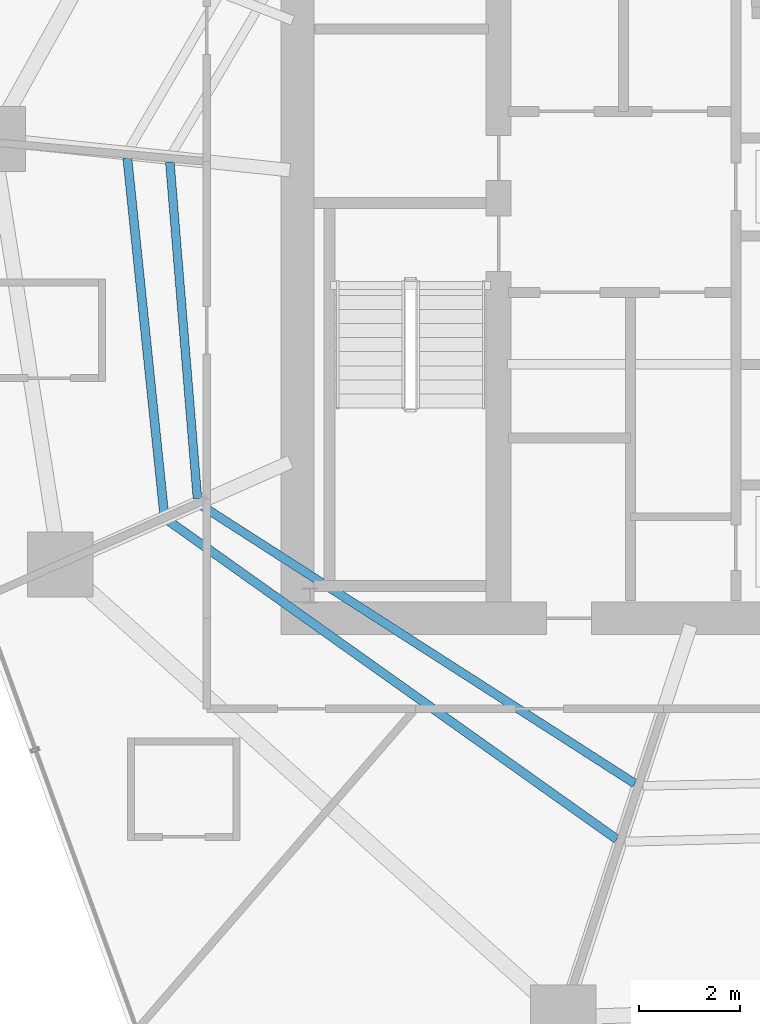
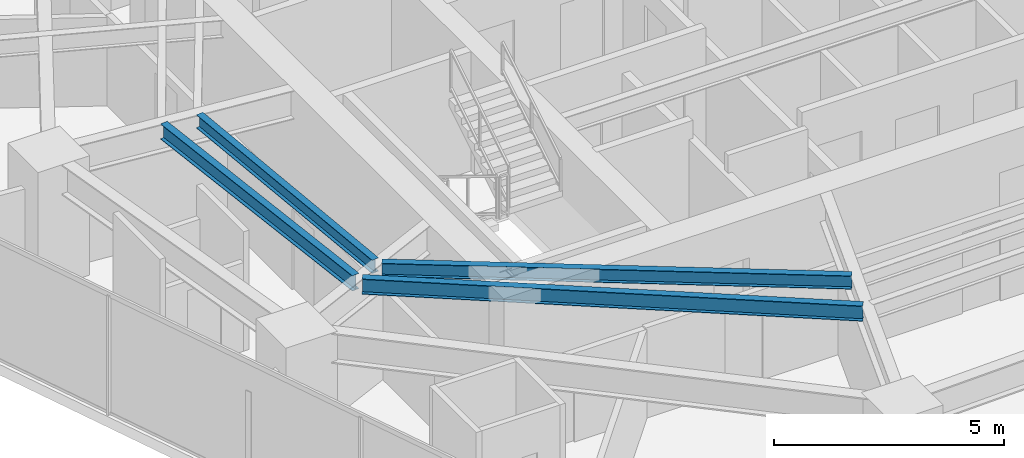
# One storey, part 8 of 33: 4 beams.
"""IFC4 building model written with IfcOpenShell, lengths in metres."""

from ifc_helpers import new_model, si_unit, direction, frame, origin, origin_2d, place, context, subcontext, project, spatial, i_section, extrude, material, material_profile, profile_set, type_object, element, save


model = new_model("IFC4")

# Units and contexts
model_context = context("Model", 3, precision=1e-05, world=origin(), true_north=direction((0.0, 1.0)))
body_context = subcontext(model_context, "Body", "Model", "MODEL_VIEW")
ifc_project = project(units=[si_unit("LENGTHUNIT", "METRE"), si_unit("AREAUNIT", "SQUARE_METRE"), si_unit("VOLUMEUNIT", "CUBIC_METRE"), si_unit("PLANEANGLEUNIT", "RADIAN"), si_unit("MASSUNIT", "GRAM", prefix="KILO")], contexts=[model_context])

# Site, building, storey
site_placement = place(None, origin())
site = spatial("IfcSite", under=ifc_project, at=site_placement, CompositionType="ELEMENT")
building_placement = place(site_placement, origin())
building = spatial("IfcBuilding", under=site, at=building_placement, Name="Qarnah Convention Tower", CompositionType="ELEMENT")
storey_placement = place(building_placement, frame((0.0, 0.0, 30.449951171875)))
storey = spatial("IfcBuildingStorey", under=building, at=storey_placement, Name="L06", CompositionType="ELEMENT", Elevation=30.449951171875)

# Beams
ifc_material = material(Name="Structural steel S355JR", Category="steel")
ifc_material_profile_1 = material_profile(ifc_material, i_section(OverallWidth=0.172119140625, OverallDepth=0.35595703125, WebThickness=0.007080078125, FlangeThickness=0.011962890625, at=origin_2d()), Name="W360X51")
ifc_profile_set_1 = profile_set([ifc_material_profile_1], Name="Structural steel S355JR")
beam_type_1 = type_object("IfcBeamType", Name="BM-JST-W360", PredefinedType="JOIST", material=ifc_profile_set_1)
beam_1_placement = place(storey_placement, frame((24.261962890625, 27.6708984375, 2.991943359375), z_axis=(0.081763689087, -0.996651744165, 0.0), x_axis=(0.996651744165, 0.081763689087, 0.0)))
element("IfcBeam", 1, at=beam_1_placement, inside=storey, type_object=beam_type_1, Name="L06 joist BM-L06-IJST-05", PredefinedType="JOIST", context=body_context, shape_type="SweptSolid", body=[
    extrude(i_section(OverallWidth=0.172119140625, OverallDepth=0.35595703125, WebThickness=0.007080078125, FlangeThickness=0.011962890625, at=origin_2d()), origin(), (0.0, 0.0, 1.0), 6.71533203125),
])
beam_2_placement = place(storey_placement, frame((24.89404296875, 20.839111328125, 2.991943359375), z_axis=(0.841675053613, -0.539984355445, 0.0), x_axis=(0.539984355445, 0.841675053613, 0.0)))
element("IfcBeam", 2, at=beam_2_placement, inside=storey, type_object=beam_type_1, Name="L06 joist BM-L06-IJST-06", PredefinedType="JOIST", context=body_context, shape_type="SweptSolid", body=[
    extrude(i_section(OverallWidth=0.172119140625, OverallDepth=0.35595703125, WebThickness=0.007080078125, FlangeThickness=0.011962890625, at=origin_2d()), origin(), (0.0, 0.0, 1.0), 10.23193359375),
])
ifc_material_profile_2 = material_profile(ifc_material, i_section(OverallWidth=0.177978515625, OverallDepth=0.407958984375, WebThickness=0.008056640625, FlangeThickness=0.012939453125, at=origin_2d()), Name="W410X60")
ifc_profile_set_2 = profile_set([ifc_material_profile_2], Name="Structural steel S355JR")
beam_type_2 = type_object("IfcBeamType", Name="BM-JST-W410", PredefinedType="JOIST", material=ifc_profile_set_2)
beam_3_placement = place(storey_placement, frame((23.416015625, 27.760009765625, 2.966064453125), z_axis=(0.10287690675, -0.994694094713, 0.0), x_axis=(0.994694094713, 0.10287690675, 0.0)))
element("IfcBeam", 3, at=beam_3_placement, inside=storey, type_object=beam_type_2, Name="L06 joist BM-L06-SJST-05", PredefinedType="JOIST", context=body_context, shape_type="SweptSolid", body=[
    extrude(i_section(OverallWidth=0.177978515625, OverallDepth=0.407958984375, WebThickness=0.008056640625, FlangeThickness=0.012939453125, at=origin_2d()), origin(), (0.0, 0.0, 1.0), 7.11474609375),
])
beam_4_placement = place(storey_placement, frame((24.22998046875, 20.541015625, 2.966064453125), z_axis=(0.815244739249, -0.579116581637, 0.0), x_axis=(0.579116581637, 0.815244739249, 0.0)))
element("IfcBeam", 4, at=beam_4_placement, inside=storey, type_object=beam_type_2, Name="L06 joist BM-L06-SJST-06", PredefinedType="JOIST", context=body_context, shape_type="SweptSolid", body=[
    extrude(i_section(OverallWidth=0.177978515625, OverallDepth=0.407958984375, WebThickness=0.008056640625, FlangeThickness=0.012939453125, at=origin_2d()), origin(), (0.0, 0.0, 1.0), 10.93896484375),
])

save(model, "model.ifc")
